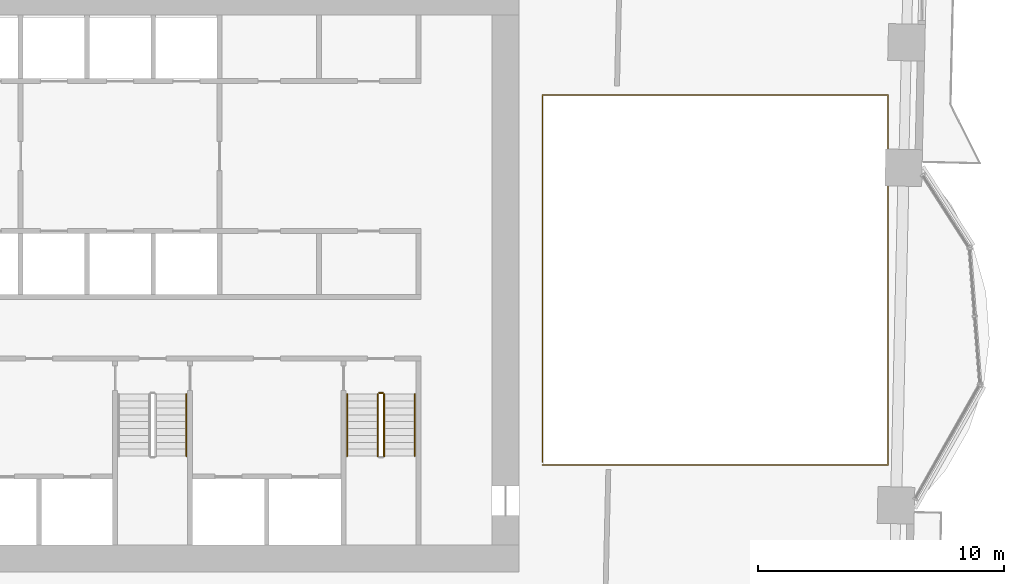
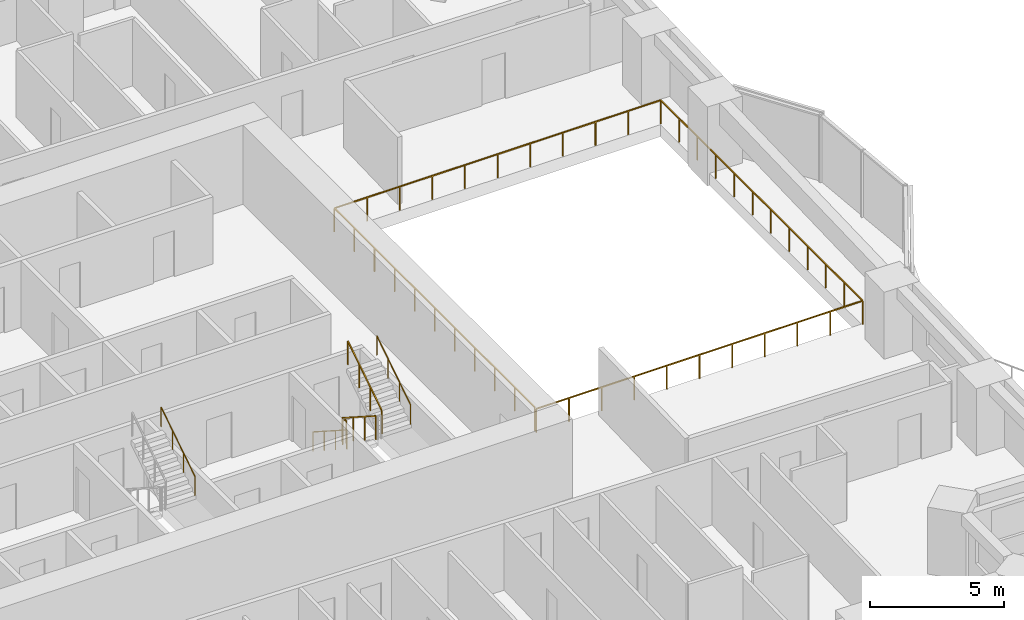
# One storey, part 19 of 20: 7 railings.
"""IFC4 building model written with IfcOpenShell, lengths in metres."""

from ifc_helpers import new_model, si_unit, direction, frame, origin, origin_2d, place, context, subcontext, project, spatial, rectangle, circle, extrude, material, type_object, element, save


model = new_model("IFC4")

# Units and contexts
model_context = context("Model", 3, precision=1e-05, world=origin(), true_north=direction((0.0, 1.0)))
body_context = subcontext(model_context, "Body", "Model", "MODEL_VIEW")
ifc_project = project(units=[si_unit("LENGTHUNIT", "METRE"), si_unit("AREAUNIT", "SQUARE_METRE"), si_unit("VOLUMEUNIT", "CUBIC_METRE"), si_unit("PLANEANGLEUNIT", "RADIAN"), si_unit("MASSUNIT", "GRAM", prefix="KILO")], contexts=[model_context])

# Site, building, storey
site_placement = place(None, origin())
site = spatial("IfcSite", under=ifc_project, at=site_placement, CompositionType="ELEMENT")
building_placement = place(site_placement, origin())
building = spatial("IfcBuilding", under=site, at=building_placement, Name="Mangrove Gate Tower", CompositionType="ELEMENT")
storey_placement = place(building_placement, frame((0.0, 0.0, 60.300048828125)))
storey = spatial("IfcBuildingStorey", under=building, at=storey_placement, Name="L14", CompositionType="ELEMENT", Elevation=60.300048828125)

# Railings
ifc_material_1 = material(Name="Stainless steel grade 316 with laminated glass infill", Category="steel")
railing_type_1 = type_object("IfcRailingType", Name="Balcony guard 1100", PredefinedType="GUARDRAIL", material=ifc_material_1)
railing_1_placement = place(storey_placement, frame((15.860107421875, -7.5400390625, 0.0)))
element("IfcRailing", 1, at=railing_1_placement, inside=storey, type_object=railing_type_1, Name="GUARD L14 atrium", PredefinedType="GUARDRAIL", context=body_context, shape_type="SweptSolid", body=[
    extrude(rectangle(XDim=0.048095703125, YDim=0.048095703125, at=origin_2d()), frame((0.0, 0.0, 1.076171875), z_axis=(1.0, 0.0, 0.0), x_axis=(0.0, 1.0, 0.0)), (0.0, 0.0, 1.0), 14.06982421875),
    extrude(rectangle(XDim=0.048095703125, YDim=0.048095703125, at=origin_2d()), frame((14.06982421875, 0.0, 1.076171875), z_axis=(0.0, 1.0, 0.0), x_axis=(-1.0, 0.0, 0.0)), (0.0, 0.0, 1.0), 15.080078125),
    extrude(rectangle(XDim=0.048095703125, YDim=0.048095703125, at=origin_2d()), frame((14.06982421875, 15.080078125, 1.076171875), z_axis=(-1.0, 0.0, 0.0), x_axis=(0.0, -1.0, 0.0)), (0.0, 0.0, 1.0), 14.06982421875),
    extrude(rectangle(XDim=0.048095703125, YDim=0.048095703125, at=origin_2d()), frame((0.0, 15.080078125, 1.076171875), z_axis=(0.0, -1.0, 0.0), x_axis=(1.0, 0.0, 0.0)), (0.0, 0.0, 1.0), 14.9599609375),
    extrude(rectangle(XDim=0.0419921875, YDim=0.0419921875, at=origin_2d()), origin(), (0.0, 0.0, 1.0), 1.052001953125),
    extrude(rectangle(XDim=0.0419921875, YDim=0.0419921875, at=origin_2d()), frame((1.406982421875, 0.0, 0.0)), (0.0, 0.0, 1.0), 1.052001953125),
    extrude(rectangle(XDim=0.0419921875, YDim=0.0419921875, at=origin_2d()), frame((2.81396484375, 0.0, 0.0)), (0.0, 0.0, 1.0), 1.052001953125),
    extrude(rectangle(XDim=0.0419921875, YDim=0.0419921875, at=origin_2d()), frame((4.220947265625, 0.0, 0.0)), (0.0, 0.0, 1.0), 1.052001953125),
    extrude(rectangle(XDim=0.0419921875, YDim=0.0419921875, at=origin_2d()), frame((5.6279296875, 0.0, 0.0)), (0.0, 0.0, 1.0), 1.052001953125),
    extrude(rectangle(XDim=0.0419921875, YDim=0.0419921875, at=origin_2d()), frame((7.034912109375, 0.0, 0.0)), (0.0, 0.0, 1.0), 1.052001953125),
    extrude(rectangle(XDim=0.0419921875, YDim=0.0419921875, at=origin_2d()), frame((8.44189453125, 0.0, 0.0)), (0.0, 0.0, 1.0), 1.052001953125),
    extrude(rectangle(XDim=0.0419921875, YDim=0.0419921875, at=origin_2d()), frame((9.848876953125, 0.0, 0.0)), (0.0, 0.0, 1.0), 1.052001953125),
    extrude(rectangle(XDim=0.0419921875, YDim=0.0419921875, at=origin_2d()), frame((11.255859375, 0.0, 0.0)), (0.0, 0.0, 1.0), 1.052001953125),
    extrude(rectangle(XDim=0.0419921875, YDim=0.0419921875, at=origin_2d()), frame((12.662841796875, 0.0, 0.0)), (0.0, 0.0, 1.0), 1.052001953125),
    extrude(rectangle(XDim=0.0419921875, YDim=0.0419921875, at=origin_2d()), frame((14.06982421875, 0.0, 0.0)), (0.0, 0.0, 1.0), 1.052001953125),
    extrude(rectangle(XDim=0.0419921875, YDim=0.0419921875, at=origin_2d()), frame((14.06982421875, 1.370849609375, 0.0)), (0.0, 0.0, 1.0), 1.052001953125),
    extrude(rectangle(XDim=0.0419921875, YDim=0.0419921875, at=origin_2d()), frame((14.06982421875, 2.741943359375, 0.0)), (0.0, 0.0, 1.0), 1.052001953125),
    extrude(rectangle(XDim=0.0419921875, YDim=0.0419921875, at=origin_2d()), frame((14.06982421875, 4.11279296875, 0.0)), (0.0, 0.0, 1.0), 1.052001953125),
    extrude(rectangle(XDim=0.0419921875, YDim=0.0419921875, at=origin_2d()), frame((14.06982421875, 5.483642578125, 0.0)), (0.0, 0.0, 1.0), 1.052001953125),
    extrude(rectangle(XDim=0.0419921875, YDim=0.0419921875, at=origin_2d()), frame((14.06982421875, 6.8544921875, 0.0)), (0.0, 0.0, 1.0), 1.052001953125),
    extrude(rectangle(XDim=0.0419921875, YDim=0.0419921875, at=origin_2d()), frame((14.06982421875, 8.2255859375, 0.0)), (0.0, 0.0, 1.0), 1.052001953125),
    extrude(rectangle(XDim=0.0419921875, YDim=0.0419921875, at=origin_2d()), frame((14.06982421875, 9.596435546875, 0.0)), (0.0, 0.0, 1.0), 1.052001953125),
    extrude(rectangle(XDim=0.0419921875, YDim=0.0419921875, at=origin_2d()), frame((14.06982421875, 10.96728515625, 0.0)), (0.0, 0.0, 1.0), 1.052001953125),
    extrude(rectangle(XDim=0.0419921875, YDim=0.0419921875, at=origin_2d()), frame((14.06982421875, 12.338134765625, 0.0)), (0.0, 0.0, 1.0), 1.052001953125),
    extrude(rectangle(XDim=0.0419921875, YDim=0.0419921875, at=origin_2d()), frame((14.06982421875, 13.709228515625, 0.0)), (0.0, 0.0, 1.0), 1.052001953125),
    extrude(rectangle(XDim=0.0419921875, YDim=0.0419921875, at=origin_2d()), frame((14.06982421875, 15.080078125, 0.0)), (0.0, 0.0, 1.0), 1.052001953125),
    extrude(rectangle(XDim=0.0419921875, YDim=0.0419921875, at=origin_2d()), frame((12.662841796875, 15.080078125, 0.0)), (0.0, 0.0, 1.0), 1.052001953125),
    extrude(rectangle(XDim=0.0419921875, YDim=0.0419921875, at=origin_2d()), frame((11.255859375, 15.080078125, 0.0)), (0.0, 0.0, 1.0), 1.052001953125),
    extrude(rectangle(XDim=0.0419921875, YDim=0.0419921875, at=origin_2d()), frame((9.848876953125, 15.080078125, 0.0)), (0.0, 0.0, 1.0), 1.052001953125),
    extrude(rectangle(XDim=0.0419921875, YDim=0.0419921875, at=origin_2d()), frame((8.44189453125, 15.080078125, 0.0)), (0.0, 0.0, 1.0), 1.052001953125),
    extrude(rectangle(XDim=0.0419921875, YDim=0.0419921875, at=origin_2d()), frame((7.034912109375, 15.080078125, 0.0)), (0.0, 0.0, 1.0), 1.052001953125),
    extrude(rectangle(XDim=0.0419921875, YDim=0.0419921875, at=origin_2d()), frame((5.6279296875, 15.080078125, 0.0)), (0.0, 0.0, 1.0), 1.052001953125),
    extrude(rectangle(XDim=0.0419921875, YDim=0.0419921875, at=origin_2d()), frame((4.220947265625, 15.080078125, 0.0)), (0.0, 0.0, 1.0), 1.052001953125),
    extrude(rectangle(XDim=0.0419921875, YDim=0.0419921875, at=origin_2d()), frame((2.81396484375, 15.080078125, 0.0)), (0.0, 0.0, 1.0), 1.052001953125),
    extrude(rectangle(XDim=0.0419921875, YDim=0.0419921875, at=origin_2d()), frame((1.406982421875, 15.080078125, 0.0)), (0.0, 0.0, 1.0), 1.052001953125),
    extrude(rectangle(XDim=0.0419921875, YDim=0.0419921875, at=origin_2d()), frame((0.0, 15.080078125, 0.0)), (0.0, 0.0, 1.0), 1.052001953125),
    extrude(rectangle(XDim=0.0419921875, YDim=0.0419921875, at=origin_2d()), frame((0.0, 13.583984375, 0.0)), (0.0, 0.0, 1.0), 1.052001953125),
    extrude(rectangle(XDim=0.0419921875, YDim=0.0419921875, at=origin_2d()), frame((0.0, 12.088134765625, 0.0)), (0.0, 0.0, 1.0), 1.052001953125),
    extrude(rectangle(XDim=0.0419921875, YDim=0.0419921875, at=origin_2d()), frame((0.0, 10.592041015625, 0.0)), (0.0, 0.0, 1.0), 1.052001953125),
    extrude(rectangle(XDim=0.0419921875, YDim=0.0419921875, at=origin_2d()), frame((0.0, 9.09619140625, 0.0)), (0.0, 0.0, 1.0), 1.052001953125),
    extrude(rectangle(XDim=0.0419921875, YDim=0.0419921875, at=origin_2d()), frame((0.0, 7.60009765625, 0.0)), (0.0, 0.0, 1.0), 1.052001953125),
    extrude(rectangle(XDim=0.0419921875, YDim=0.0419921875, at=origin_2d()), frame((0.0, 6.10400390625, 0.0)), (0.0, 0.0, 1.0), 1.052001953125),
    extrude(rectangle(XDim=0.0419921875, YDim=0.0419921875, at=origin_2d()), frame((0.0, 4.608154296875, 0.0)), (0.0, 0.0, 1.0), 1.052001953125),
    extrude(rectangle(XDim=0.0419921875, YDim=0.0419921875, at=origin_2d()), frame((0.0, 3.112060546875, 0.0)), (0.0, 0.0, 1.0), 1.052001953125),
    extrude(rectangle(XDim=0.0419921875, YDim=0.0419921875, at=origin_2d()), frame((0.0, 1.6162109375, 0.0)), (0.0, 0.0, 1.0), 1.052001953125),
    extrude(rectangle(XDim=0.0419921875, YDim=0.0419921875, at=origin_2d()), frame((0.0, 0.1201171875, 0.0)), (0.0, 0.0, 1.0), 1.052001953125),
])
ifc_material_2 = material(Name="Stainless steel 316", Category="steel")
railing_type_2 = type_object("IfcRailingType", Name="Core stair guard 1100", PredefinedType="GUARDRAIL", material=ifc_material_2)
railing_2_placement = place(storey_placement, frame((9.14990234375, -4.64990234375, 0.179931640625)))
element("IfcRailing", 2, at=railing_2_placement, inside=storey, type_object=railing_type_2, Name="L14 ST3 stair guard 1", PredefinedType="GUARDRAIL", context=body_context, shape_type="SweptSolid", body=[
    extrude(rectangle(XDim=0.048095703125, YDim=0.048095703125, at=origin_2d()), frame((0.0, 0.0, 1.076171875), z_axis=(0.0, -0.841162588446, 0.540782303519), x_axis=(1.0, 0.0, 0.0)), (0.0, 0.0, 1.0), 2.995849609375),
    extrude(rectangle(XDim=0.0419921875, YDim=0.0419921875, at=origin_2d()), origin(), (0.0, 0.0, 1.0), 1.052001953125),
    extrude(rectangle(XDim=0.0419921875, YDim=0.0419921875, at=origin_2d()), frame((0.0, -0.840087890625, 0.5400390625)), (0.0, 0.0, 1.0), 1.052001953125),
    extrude(rectangle(XDim=0.0419921875, YDim=0.0419921875, at=origin_2d()), frame((0.0, -1.679931640625, 1.080078125)), (0.0, 0.0, 1.0), 1.052001953125),
    extrude(rectangle(XDim=0.0419921875, YDim=0.0419921875, at=origin_2d()), frame((0.0, -2.52001953125, 1.6201171875)), (0.0, 0.0, 1.0), 1.052001953125),
])
railing_3_placement = place(storey_placement, frame((9.39990234375, -7.169921875, 1.97998046875)))
element("IfcRailing", 3, at=railing_3_placement, inside=storey, type_object=railing_type_2, Name="L14 ST3 stair guard 3", PredefinedType="GUARDRAIL", context=body_context, shape_type="SweptSolid", body=[
    extrude(rectangle(XDim=0.048095703125, YDim=0.048095703125, at=origin_2d()), frame((0.0, 0.0, 1.076171875), z_axis=(0.0, 0.841199657755, 0.540724639528), x_axis=(-1.0, 0.0, 0.0)), (0.0, 0.0, 1.0), 2.995849609375),
    extrude(rectangle(XDim=0.0419921875, YDim=0.0419921875, at=origin_2d()), origin(), (0.0, 0.0, 1.0), 1.052001953125),
    extrude(rectangle(XDim=0.0419921875, YDim=0.0419921875, at=origin_2d()), frame((0.0, 0.840087890625, 0.5400390625)), (0.0, 0.0, 1.0), 1.052001953125),
    extrude(rectangle(XDim=0.0419921875, YDim=0.0419921875, at=origin_2d()), frame((0.0, 1.679931640625, 1.079833984375)), (0.0, 0.0, 1.0), 1.052001953125),
    extrude(rectangle(XDim=0.0419921875, YDim=0.0419921875, at=origin_2d()), frame((0.0, 2.52001953125, 1.619873046875)), (0.0, 0.0, 1.0), 1.052001953125),
])
railing_4_placement = place(storey_placement, frame((9.199951171875, -4.60009765625, 0.0)))
element("IfcRailing", 4, at=railing_4_placement, inside=storey, type_object=railing_type_2, Name="L14 ST3 stair guard 4", PredefinedType="GUARDRAIL", context=body_context, shape_type="SweptSolid", body=[
    extrude(rectangle(XDim=0.048095703125, YDim=0.048095703125, at=origin_2d()), frame((0.0, 0.0, 1.076171875), z_axis=(1.0, 0.0, 0.0), x_axis=(0.0, 1.0, 0.0)), (0.0, 0.0, 1.0), 0.150146484375),
    extrude(rectangle(XDim=0.0419921875, YDim=0.0419921875, at=origin_2d()), origin(), (0.0, 0.0, 1.0), 1.052001953125),
    extrude(rectangle(XDim=0.0419921875, YDim=0.0419921875, at=origin_2d()), frame((0.150146484375, 0.0, 0.0)), (0.0, 0.0, 1.0), 1.052001953125),
])
ifc_material_3 = material(Name="Stainless steel 316", Category="steel")
railing_type_3 = type_object("IfcRailingType", Name="Core stair handrail 900", PredefinedType="HANDRAIL", material=ifc_material_3)
railing_5_placement = place(storey_placement, frame((1.35009765625, -7.169921875, 1.97998046875)))
element("IfcRailing", 5, at=railing_5_placement, inside=storey, type_object=railing_type_3, Name="L14 ST2 stair handrail 2", PredefinedType="HANDRAIL", context=body_context, shape_type="SweptSolid", body=[
    extrude(circle(Radius=0.02392578125, at=origin_2d()), frame((0.0, 0.0, 0.8759765625), z_axis=(0.0, 0.841199657755, 0.540724639528), x_axis=(-1.0, 0.0, 0.0)), (0.0, 0.0, 1.0), 2.995849609375),
    extrude(circle(Radius=0.02099609375, at=origin_2d()), origin(), (0.0, 0.0, 1.0), 0.851806640625),
    extrude(circle(Radius=0.02099609375, at=origin_2d()), frame((0.0, 0.840087890625, 0.5400390625)), (0.0, 0.0, 1.0), 0.851806640625),
    extrude(circle(Radius=0.02099609375, at=origin_2d()), frame((0.0, 1.679931640625, 1.079833984375)), (0.0, 0.0, 1.0), 0.851806640625),
    extrude(circle(Radius=0.02099609375, at=origin_2d()), frame((0.0, 2.52001953125, 1.619873046875)), (0.0, 0.0, 1.0), 0.851806640625),
])
railing_6_placement = place(storey_placement, frame((7.89990234375, -4.64990234375, 0.179931640625)))
element("IfcRailing", 6, at=railing_6_placement, inside=storey, type_object=railing_type_3, Name="L14 ST3 stair handrail 1", PredefinedType="HANDRAIL", context=body_context, shape_type="SweptSolid", body=[
    extrude(circle(Radius=0.02392578125, at=origin_2d()), frame((0.0, 0.0, 0.8759765625), z_axis=(0.0, -0.841162588446, 0.540782303519), x_axis=(1.0, 0.0, 0.0)), (0.0, 0.0, 1.0), 2.995849609375),
    extrude(circle(Radius=0.02099609375, at=origin_2d()), origin(), (0.0, 0.0, 1.0), 0.851806640625),
    extrude(circle(Radius=0.02099609375, at=origin_2d()), frame((0.0, -0.840087890625, 0.5400390625)), (0.0, 0.0, 1.0), 0.851806640625),
    extrude(circle(Radius=0.02099609375, at=origin_2d()), frame((0.0, -1.679931640625, 1.080078125)), (0.0, 0.0, 1.0), 0.851806640625),
    extrude(circle(Radius=0.02099609375, at=origin_2d()), frame((0.0, -2.52001953125, 1.6201171875)), (0.0, 0.0, 1.0), 0.851806640625),
])
railing_7_placement = place(storey_placement, frame((10.64990234375, -7.169921875, 1.97998046875)))
element("IfcRailing", 7, at=railing_7_placement, inside=storey, type_object=railing_type_3, Name="L14 ST3 stair handrail 2", PredefinedType="HANDRAIL", context=body_context, shape_type="SweptSolid", body=[
    extrude(circle(Radius=0.02392578125, at=origin_2d()), frame((0.0, 0.0, 0.8759765625), z_axis=(0.0, 0.841199657755, 0.540724639528), x_axis=(-1.0, 0.0, 0.0)), (0.0, 0.0, 1.0), 2.995849609375),
    extrude(circle(Radius=0.02099609375, at=origin_2d()), origin(), (0.0, 0.0, 1.0), 0.851806640625),
    extrude(circle(Radius=0.02099609375, at=origin_2d()), frame((0.0, 0.840087890625, 0.5400390625)), (0.0, 0.0, 1.0), 0.851806640625),
    extrude(circle(Radius=0.02099609375, at=origin_2d()), frame((0.0, 1.679931640625, 1.079833984375)), (0.0, 0.0, 1.0), 0.851806640625),
    extrude(circle(Radius=0.02099609375, at=origin_2d()), frame((0.0, 2.52001953125, 1.619873046875)), (0.0, 0.0, 1.0), 0.851806640625),
])

save(model, "model.ifc")
